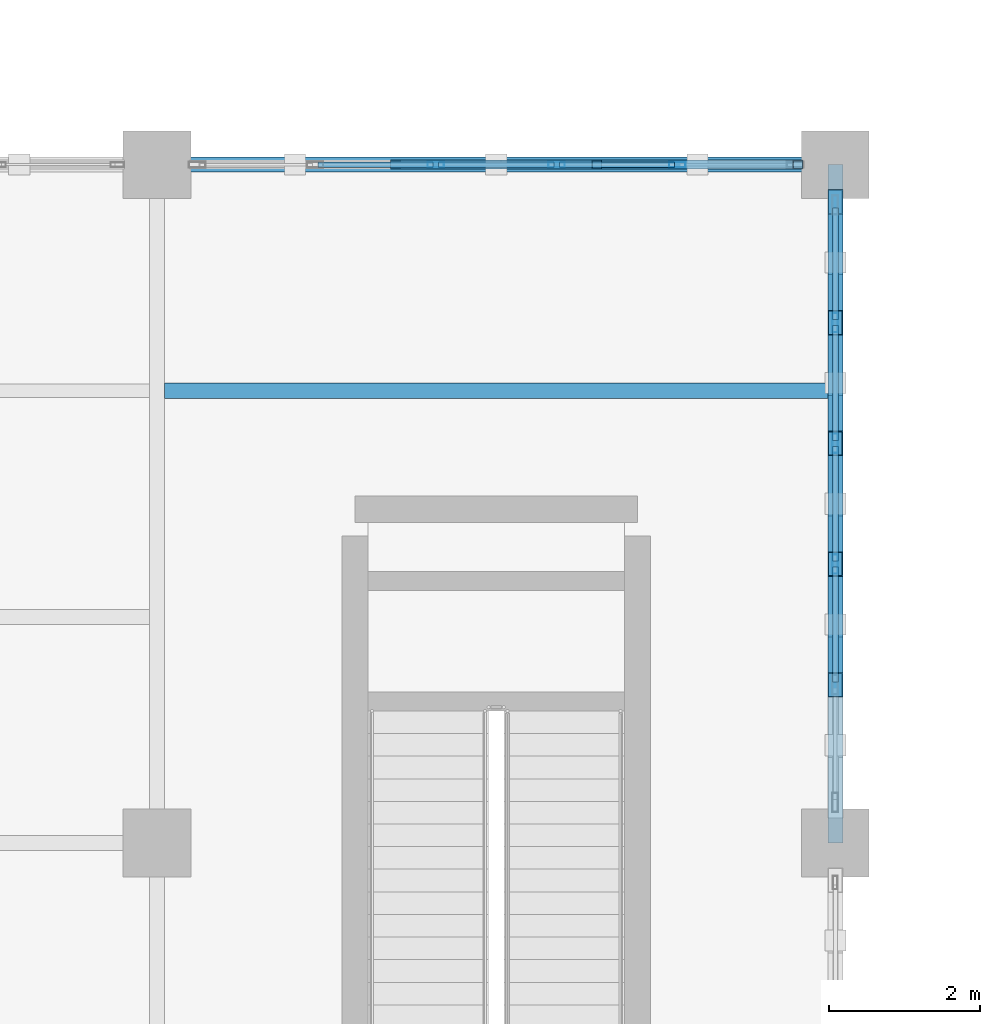
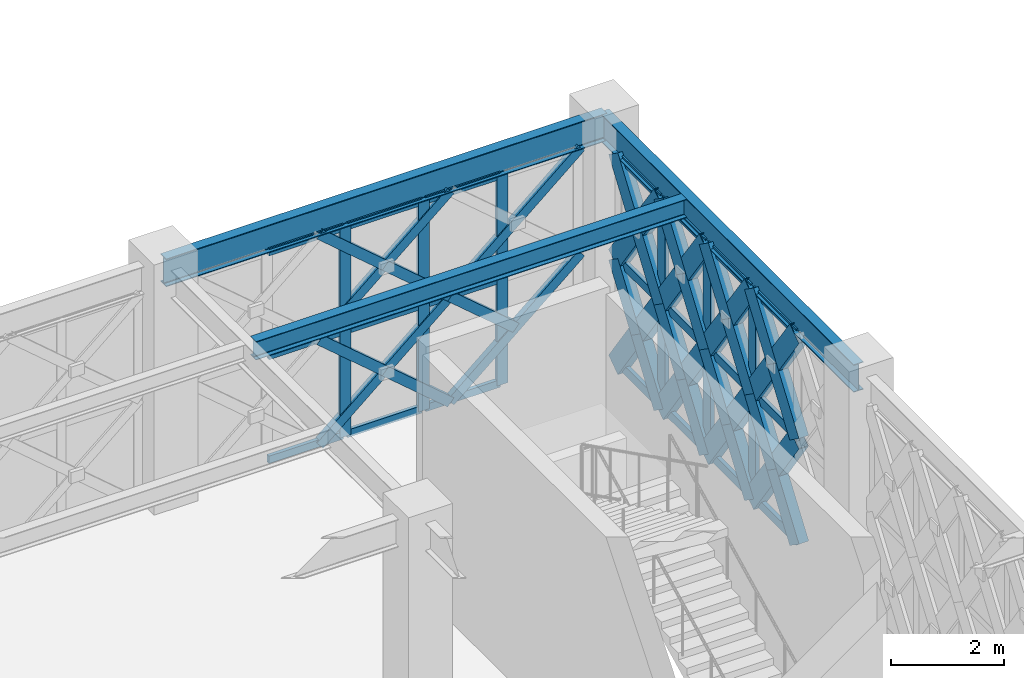
# One storey, part 29 of 155: 60 members, 3 beams, 2 elements without a shape of their own.
"""IFC4 building model written with IfcOpenShell, lengths in metres."""

from ifc_helpers import new_model, si_unit, direction, frame, origin, origin_2d, place, context, subcontext, project, spatial, hollow_rectangle, i_section, extrude, material, material_profile, profile_set, type_object, element, aggregate, save


model = new_model("IFC4")

# Units and contexts
model_context = context("Model", 3, precision=1e-05, world=origin(), true_north=direction((0.0, 1.0)))
body_context = subcontext(model_context, "Body", "Model", "MODEL_VIEW")
ifc_project = project(units=[si_unit("LENGTHUNIT", "METRE"), si_unit("AREAUNIT", "SQUARE_METRE"), si_unit("VOLUMEUNIT", "CUBIC_METRE"), si_unit("PLANEANGLEUNIT", "RADIAN"), si_unit("MASSUNIT", "GRAM", prefix="KILO")], contexts=[model_context])

# Site, building, storey
site_placement = place(None, origin())
site = spatial("IfcSite", under=ifc_project, at=site_placement, CompositionType="ELEMENT")
building_placement = place(site_placement, origin())
building = spatial("IfcBuilding", under=site, at=building_placement, Name="Haizhuo Lancet Aquarium", CompositionType="ELEMENT")
storey_placement = place(building_placement, frame((0.0, 0.0, 10.800048828125)))
storey = spatial("IfcBuildingStorey", under=building, at=storey_placement, Name="L02", CompositionType="ELEMENT", Elevation=10.800048828125)

# Beams
ifc_material_1 = material(Name="Steel S355", Category="steel")
ifc_material_profile_1 = material_profile(ifc_material_1, i_section(OverallWidth=0.199951171875, OverallDepth=0.60009765625, WebThickness=0.010986328125, FlangeThickness=0.01708984375, FilletRadius=0.02197265625, at=origin_2d()), Name="HN 600x200x11x17")
ifc_profile_set_1 = profile_set([ifc_material_profile_1], Name="Steel S355")
beam_type_1 = type_object("IfcBeamType", Name="BM-ST-HN600", PredefinedType="BEAM", material=ifc_profile_set_1)
for number, where, z_axis, x_axis, name in (
    (1, (-45.0, -9.0, 4.85986328125), (1.0, 0.0, 0.0), (0.0, 1.0, 0.0), "L02 V6 primary girder BM-L02-V6-026"),
    (2, (-36.0, -18.0, 4.85986328125), (0.0, 1.0, 0.0), (-1.0, 0.0, 0.0), "L02 V6 primary girder BM-L02-V6-029"),
):
    element("IfcBeam", number, at=place(storey_placement, frame(where, z_axis=z_axis, x_axis=x_axis)), inside=storey, type_object=beam_type_1, Name=name, PredefinedType="BEAM", context=body_context, shape_type="SweptSolid", body=[
        extrude(i_section(OverallWidth=0.199951171875, OverallDepth=0.60009765625, WebThickness=0.010986328125, FlangeThickness=0.01708984375, FilletRadius=0.02197265625, at=origin_2d()), origin(), (0.0, 0.0, 1.0), 9.0),
    ])

# Curtain wall, members
ifc_material_2 = material(Name="Aluminium 6063-T6", Category="aluminium")
curtain_wall_type_1 = type_object("IfcCurtainWallType", Name="CWO-8010x4560", PredefinedType="NOTDEFINED", material=ifc_material_2)
curtain_wall_1_placement = place(storey_placement, origin())
curtain_wall_1 = element("IfcCurtainWall", 3, at=curtain_wall_1_placement, inside=storey, type_object=curtain_wall_type_1, Name="L02 curtain wall CW-V6-L02-218", PredefinedType="NOTDEFINED")
ifc_material_profile_2 = material_profile(ifc_material_2, hollow_rectangle(XDim=0.074951171875, YDim=0.219970703125, WallThickness=0.0048828125, at=origin_2d()), Name="ALU-M 75x220x5")
ifc_profile_set_2 = profile_set([ifc_material_profile_2], Name="Aluminium 6063-T6")
member_type_1 = type_object("IfcMemberType", Name="CW-MUL-2", PredefinedType="MULLION", material=ifc_profile_set_2)
member_1_placement = place(storey_placement, frame((-41.301025390625, -9.0, 0.0), z_axis=(0.0, 0.0, 1.0), x_axis=(0.0, 1.0, 0.0)))
member_1 = element("IfcMember", 4, at=member_1_placement, type_object=member_type_1, Name="CWO-80x45 mullion 3", PredefinedType="MULLION", context=body_context, shape_type="SweptSolid", body=[
    extrude(hollow_rectangle(XDim=0.074951171875, YDim=0.219970703125, WallThickness=0.0048828125, at=origin_2d()), origin(), (0.0, 0.0, 1.0), 4.56005859375),
])
member_2_placement = place(storey_placement, frame((-39.698974609375, -9.0, 0.0), z_axis=(0.0, 0.0, 1.0), x_axis=(0.0, 1.0, 0.0)))
member_2 = element("IfcMember", 5, at=member_2_placement, type_object=member_type_1, Name="CWO-80x45 mullion 4", PredefinedType="MULLION", context=body_context, shape_type="SweptSolid", body=[
    extrude(hollow_rectangle(XDim=0.074951171875, YDim=0.219970703125, WallThickness=0.0048828125, at=origin_2d()), origin(), (0.0, 0.0, 1.0), 4.56005859375),
])
member_3_placement = place(storey_placement, frame((-38.096923828125, -9.0, 0.0), z_axis=(0.0, 0.0, 1.0), x_axis=(0.0, 1.0, 0.0)))
member_3 = element("IfcMember", 6, at=member_3_placement, type_object=member_type_1, Name="CWO-80x45 mullion 5", PredefinedType="MULLION", context=body_context, shape_type="SweptSolid", body=[
    extrude(hollow_rectangle(XDim=0.074951171875, YDim=0.219970703125, WallThickness=0.0048828125, at=origin_2d()), origin(), (0.0, 0.0, 1.0), 4.56005859375),
])

curtain_wall_type_2 = type_object("IfcCurtainWallType", Name="CWD-8010x4560", PredefinedType="NOTDEFINED", material=ifc_material_2)
curtain_wall_2_placement = place(storey_placement, origin())
curtain_wall_2 = element("IfcCurtainWall", 7, at=curtain_wall_2_placement, inside=storey, type_object=curtain_wall_type_2, Name="L02 curtain wall CW-V6-L02-219", PredefinedType="NOTDEFINED")
ifc_material_profile_3 = material_profile(ifc_material_2, hollow_rectangle(XDim=0.080078125, YDim=0.260009765625, WallThickness=0.0048828125, at=origin_2d()), Name="ALU-M 80x260x5")
ifc_profile_set_3 = profile_set([ifc_material_profile_3], Name="Aluminium 6063-T6")
member_type_2 = type_object("IfcMemberType", Name="CW-MUL-3", PredefinedType="MULLION", material=ifc_profile_set_3)
member_4_placement = place(storey_placement, frame((-36.0, -11.096923828125, 0.0), z_axis=(0.0, 0.0, 1.0), x_axis=(1.0, 0.0, 0.0)))
member_4 = element("IfcMember", 8, at=member_4_placement, type_object=member_type_2, Name="CWD-80x45 mullion 2", PredefinedType="MULLION", context=body_context, shape_type="SweptSolid", body=[
    extrude(hollow_rectangle(XDim=0.080078125, YDim=0.260009765625, WallThickness=0.0048828125, at=origin_2d()), origin(), (0.0, 0.0, 1.0), 4.56005859375),
])
member_5_placement = place(storey_placement, frame((-36.0, -12.698974609375, 0.0), z_axis=(0.0, 0.0, 1.0), x_axis=(1.0, 0.0, 0.0)))
member_5 = element("IfcMember", 9, at=member_5_placement, type_object=member_type_2, Name="CWD-80x45 mullion 3", PredefinedType="MULLION", context=body_context, shape_type="SweptSolid", body=[
    extrude(hollow_rectangle(XDim=0.080078125, YDim=0.260009765625, WallThickness=0.0048828125, at=origin_2d()), origin(), (0.0, 0.0, 1.0), 4.56005859375),
])
member_6_placement = place(storey_placement, frame((-36.0, -14.301025390625, 0.0), z_axis=(0.0, 0.0, 1.0), x_axis=(1.0, 0.0, 0.0)))
member_6 = element("IfcMember", 10, at=member_6_placement, type_object=member_type_2, Name="CWD-80x45 mullion 4", PredefinedType="MULLION", context=body_context, shape_type="SweptSolid", body=[
    extrude(hollow_rectangle(XDim=0.080078125, YDim=0.260009765625, WallThickness=0.0048828125, at=origin_2d()), origin(), (0.0, 0.0, 1.0), 4.56005859375),
])

# Member
ifc_material_profile_4 = material_profile(ifc_material_2, hollow_rectangle(XDim=0.074951171875, YDim=0.159912109375, WallThickness=0.00390625, at=origin_2d()), Name="ALU-T 75x160x4")
ifc_profile_set_4 = profile_set([ifc_material_profile_4], Name="Aluminium 6063-T6")
member_type_3 = type_object("IfcMemberType", Name="CW-TRN-2", PredefinedType="NOTDEFINED", material=ifc_profile_set_4)
member_7_placement = place(storey_placement, frame((-42.865966796875, -9.0, 0.037841796875), z_axis=(1.0, 0.0, 0.0), x_axis=(0.0, 1.0, 0.0)))
member_7 = element("IfcMember", 11, at=member_7_placement, type_object=member_type_3, Name="CWO-80x45 transom 2.1", ObjectType="TRANSOM", PredefinedType="USERDEFINED", context=body_context, shape_type="SweptSolid", body=[
    extrude(hollow_rectangle(XDim=0.074951171875, YDim=0.159912109375, WallThickness=0.00390625, at=origin_2d()), origin(), (0.0, 0.0, 1.0), 1.52685546875),
])

member_8_placement = place(storey_placement, frame((-42.865966796875, -9.0, 2.280029296875), z_axis=(1.0, 0.0, 0.0), x_axis=(0.0, 1.0, 0.0)))
member_8 = element("IfcMember", 12, at=member_8_placement, type_object=member_type_3, Name="CWO-80x45 transom 2.2", ObjectType="TRANSOM", PredefinedType="USERDEFINED", context=body_context, shape_type="SweptSolid", body=[
    extrude(hollow_rectangle(XDim=0.074951171875, YDim=0.159912109375, WallThickness=0.00390625, at=origin_2d()), origin(), (0.0, 0.0, 1.0), 1.52685546875),
])

member_9_placement = place(storey_placement, frame((-42.865966796875, -9.0, 4.52197265625), z_axis=(1.0, 0.0, 0.0), x_axis=(0.0, 1.0, 0.0)))
member_9 = element("IfcMember", 13, at=member_9_placement, type_object=member_type_3, Name="CWO-80x45 transom 2.3", ObjectType="TRANSOM", PredefinedType="USERDEFINED", context=body_context, shape_type="SweptSolid", body=[
    extrude(hollow_rectangle(XDim=0.074951171875, YDim=0.159912109375, WallThickness=0.00390625, at=origin_2d()), origin(), (0.0, 0.0, 1.0), 1.52685546875),
])

member_10_placement = place(storey_placement, frame((-41.263916015625, -9.0, 0.037841796875), z_axis=(1.0, 0.0, 0.0), x_axis=(0.0, 1.0, 0.0)))
member_10 = element("IfcMember", 14, at=member_10_placement, type_object=member_type_3, Name="CWO-80x45 transom 3.1", ObjectType="TRANSOM", PredefinedType="USERDEFINED", context=body_context, shape_type="SweptSolid", body=[
    extrude(hollow_rectangle(XDim=0.074951171875, YDim=0.159912109375, WallThickness=0.00390625, at=origin_2d()), origin(), (0.0, 0.0, 1.0), 1.52783203125),
])

member_11_placement = place(storey_placement, frame((-41.263916015625, -9.0, 2.280029296875), z_axis=(1.0, 0.0, 0.0), x_axis=(0.0, 1.0, 0.0)))
member_11 = element("IfcMember", 15, at=member_11_placement, type_object=member_type_3, Name="CWO-80x45 transom 3.2", ObjectType="TRANSOM", PredefinedType="USERDEFINED", context=body_context, shape_type="SweptSolid", body=[
    extrude(hollow_rectangle(XDim=0.074951171875, YDim=0.159912109375, WallThickness=0.00390625, at=origin_2d()), origin(), (0.0, 0.0, 1.0), 1.52783203125),
])

member_12_placement = place(storey_placement, frame((-41.263916015625, -9.0, 4.52197265625), z_axis=(1.0, 0.0, 0.0), x_axis=(0.0, 1.0, 0.0)))
member_12 = element("IfcMember", 16, at=member_12_placement, type_object=member_type_3, Name="CWO-80x45 transom 3.3", ObjectType="TRANSOM", PredefinedType="USERDEFINED", context=body_context, shape_type="SweptSolid", body=[
    extrude(hollow_rectangle(XDim=0.074951171875, YDim=0.159912109375, WallThickness=0.00390625, at=origin_2d()), origin(), (0.0, 0.0, 1.0), 1.52783203125),
])

member_13_placement = place(storey_placement, frame((-39.662109375, -9.0, 0.037841796875), z_axis=(1.0, 0.0, 0.0), x_axis=(0.0, 1.0, 0.0)))
member_13 = element("IfcMember", 17, at=member_13_placement, type_object=member_type_3, Name="CWO-80x45 transom 4.1", ObjectType="TRANSOM", PredefinedType="USERDEFINED", context=body_context, shape_type="SweptSolid", body=[
    extrude(hollow_rectangle(XDim=0.074951171875, YDim=0.159912109375, WallThickness=0.00390625, at=origin_2d()), origin(), (0.0, 0.0, 1.0), 1.528076171875),
])

member_14_placement = place(storey_placement, frame((-39.662109375, -9.0, 2.280029296875), z_axis=(1.0, 0.0, 0.0), x_axis=(0.0, 1.0, 0.0)))
member_14 = element("IfcMember", 18, at=member_14_placement, type_object=member_type_3, Name="CWO-80x45 transom 4.2", ObjectType="TRANSOM", PredefinedType="USERDEFINED", context=body_context, shape_type="SweptSolid", body=[
    extrude(hollow_rectangle(XDim=0.074951171875, YDim=0.159912109375, WallThickness=0.00390625, at=origin_2d()), origin(), (0.0, 0.0, 1.0), 1.528076171875),
])

member_15_placement = place(storey_placement, frame((-39.662109375, -9.0, 4.52197265625), z_axis=(1.0, 0.0, 0.0), x_axis=(0.0, 1.0, 0.0)))
member_15 = element("IfcMember", 19, at=member_15_placement, type_object=member_type_3, Name="CWO-80x45 transom 4.3", ObjectType="TRANSOM", PredefinedType="USERDEFINED", context=body_context, shape_type="SweptSolid", body=[
    extrude(hollow_rectangle(XDim=0.074951171875, YDim=0.159912109375, WallThickness=0.00390625, at=origin_2d()), origin(), (0.0, 0.0, 1.0), 1.528076171875),
])

aggregate(curtain_wall_1, [member_1, member_2, member_3, member_7, member_8, member_9, member_10, member_11, member_12, member_13, member_14, member_15])

ifc_material_profile_5 = material_profile(ifc_material_2, hollow_rectangle(XDim=0.080078125, YDim=0.18994140625, WallThickness=0.0048828125, at=origin_2d()), Name="ALU-T 80x190x5")
ifc_profile_set_5 = profile_set([ifc_material_profile_5], Name="Aluminium 6063-T6")
member_type_4 = type_object("IfcMemberType", Name="CW-TRN-3", PredefinedType="NOTDEFINED", material=ifc_profile_set_5)
member_16_placement = place(storey_placement, frame((-36.0, -9.574951171875, 0.0400390625), z_axis=(0.0, -1.0, 0.0), x_axis=(1.0, 0.0, 0.0)))
member_16 = element("IfcMember", 20, at=member_16_placement, type_object=member_type_4, Name="CWD-80x45 transom 1.1", ObjectType="TRANSOM", PredefinedType="USERDEFINED", context=body_context, shape_type="SweptSolid", body=[
    extrude(hollow_rectangle(XDim=0.080078125, YDim=0.18994140625, WallThickness=0.0048828125, at=origin_2d()), origin(), (0.0, 0.0, 1.0), 1.48193359375),
])

member_17_placement = place(storey_placement, frame((-36.0, -9.574951171875, 2.280029296875), z_axis=(0.0, -1.0, 0.0), x_axis=(1.0, 0.0, 0.0)))
member_17 = element("IfcMember", 21, at=member_17_placement, type_object=member_type_4, Name="CWD-80x45 transom 1.2", ObjectType="TRANSOM", PredefinedType="USERDEFINED", context=body_context, shape_type="SweptSolid", body=[
    extrude(hollow_rectangle(XDim=0.080078125, YDim=0.18994140625, WallThickness=0.0048828125, at=origin_2d()), origin(), (0.0, 0.0, 1.0), 1.48193359375),
])

member_18_placement = place(storey_placement, frame((-36.0, -9.574951171875, 4.52001953125), z_axis=(0.0, -1.0, 0.0), x_axis=(1.0, 0.0, 0.0)))
member_18 = element("IfcMember", 22, at=member_18_placement, type_object=member_type_4, Name="CWD-80x45 transom 1.3", ObjectType="TRANSOM", PredefinedType="USERDEFINED", context=body_context, shape_type="SweptSolid", body=[
    extrude(hollow_rectangle(XDim=0.080078125, YDim=0.18994140625, WallThickness=0.0048828125, at=origin_2d()), origin(), (0.0, 0.0, 1.0), 1.48193359375),
])

member_19_placement = place(storey_placement, frame((-36.0, -11.136962890625, 0.0400390625), z_axis=(0.0, -1.0, 0.0), x_axis=(1.0, 0.0, 0.0)))
member_19 = element("IfcMember", 23, at=member_19_placement, type_object=member_type_4, Name="CWD-80x45 transom 2.1", ObjectType="TRANSOM", PredefinedType="USERDEFINED", context=body_context, shape_type="SweptSolid", body=[
    extrude(hollow_rectangle(XDim=0.080078125, YDim=0.18994140625, WallThickness=0.0048828125, at=origin_2d()), origin(), (0.0, 0.0, 1.0), 1.52197265625),
])

member_20_placement = place(storey_placement, frame((-36.0, -11.136962890625, 2.280029296875), z_axis=(0.0, -1.0, 0.0), x_axis=(1.0, 0.0, 0.0)))
member_20 = element("IfcMember", 24, at=member_20_placement, type_object=member_type_4, Name="CWD-80x45 transom 2.2", ObjectType="TRANSOM", PredefinedType="USERDEFINED", context=body_context, shape_type="SweptSolid", body=[
    extrude(hollow_rectangle(XDim=0.080078125, YDim=0.18994140625, WallThickness=0.0048828125, at=origin_2d()), origin(), (0.0, 0.0, 1.0), 1.52197265625),
])

member_21_placement = place(storey_placement, frame((-36.0, -11.136962890625, 4.52001953125), z_axis=(0.0, -1.0, 0.0), x_axis=(1.0, 0.0, 0.0)))
member_21 = element("IfcMember", 25, at=member_21_placement, type_object=member_type_4, Name="CWD-80x45 transom 2.3", ObjectType="TRANSOM", PredefinedType="USERDEFINED", context=body_context, shape_type="SweptSolid", body=[
    extrude(hollow_rectangle(XDim=0.080078125, YDim=0.18994140625, WallThickness=0.0048828125, at=origin_2d()), origin(), (0.0, 0.0, 1.0), 1.52197265625),
])

member_22_placement = place(storey_placement, frame((-36.0, -12.739013671875, 0.0400390625), z_axis=(0.0, -1.0, 0.0), x_axis=(1.0, 0.0, 0.0)))
member_22 = element("IfcMember", 26, at=member_22_placement, type_object=member_type_4, Name="CWD-80x45 transom 3.1", ObjectType="TRANSOM", PredefinedType="USERDEFINED", context=body_context, shape_type="SweptSolid", body=[
    extrude(hollow_rectangle(XDim=0.080078125, YDim=0.18994140625, WallThickness=0.0048828125, at=origin_2d()), origin(), (0.0, 0.0, 1.0), 1.52197265625),
])

member_23_placement = place(storey_placement, frame((-36.0, -12.739013671875, 2.280029296875), z_axis=(0.0, -1.0, 0.0), x_axis=(1.0, 0.0, 0.0)))
member_23 = element("IfcMember", 27, at=member_23_placement, type_object=member_type_4, Name="CWD-80x45 transom 3.2", ObjectType="TRANSOM", PredefinedType="USERDEFINED", context=body_context, shape_type="SweptSolid", body=[
    extrude(hollow_rectangle(XDim=0.080078125, YDim=0.18994140625, WallThickness=0.0048828125, at=origin_2d()), origin(), (0.0, 0.0, 1.0), 1.52197265625),
])

member_24_placement = place(storey_placement, frame((-36.0, -12.739013671875, 4.52001953125), z_axis=(0.0, -1.0, 0.0), x_axis=(1.0, 0.0, 0.0)))
member_24 = element("IfcMember", 28, at=member_24_placement, type_object=member_type_4, Name="CWD-80x45 transom 3.3", ObjectType="TRANSOM", PredefinedType="USERDEFINED", context=body_context, shape_type="SweptSolid", body=[
    extrude(hollow_rectangle(XDim=0.080078125, YDim=0.18994140625, WallThickness=0.0048828125, at=origin_2d()), origin(), (0.0, 0.0, 1.0), 1.52197265625),
])

member_25_placement = place(storey_placement, frame((-36.0, -14.341064453125, 0.0400390625), z_axis=(0.0, -1.0, 0.0), x_axis=(1.0, 0.0, 0.0)))
member_25 = element("IfcMember", 29, at=member_25_placement, type_object=member_type_4, Name="CWD-80x45 transom 4.1", ObjectType="TRANSOM", PredefinedType="USERDEFINED", context=body_context, shape_type="SweptSolid", body=[
    extrude(hollow_rectangle(XDim=0.080078125, YDim=0.18994140625, WallThickness=0.0048828125, at=origin_2d()), origin(), (0.0, 0.0, 1.0), 1.52197265625),
])

member_26_placement = place(storey_placement, frame((-36.0, -14.341064453125, 2.280029296875), z_axis=(0.0, -1.0, 0.0), x_axis=(1.0, 0.0, 0.0)))
member_26 = element("IfcMember", 30, at=member_26_placement, type_object=member_type_4, Name="CWD-80x45 transom 4.2", ObjectType="TRANSOM", PredefinedType="USERDEFINED", context=body_context, shape_type="SweptSolid", body=[
    extrude(hollow_rectangle(XDim=0.080078125, YDim=0.18994140625, WallThickness=0.0048828125, at=origin_2d()), origin(), (0.0, 0.0, 1.0), 1.52197265625),
])

member_27_placement = place(storey_placement, frame((-36.0, -14.341064453125, 4.52001953125), z_axis=(0.0, -1.0, 0.0), x_axis=(1.0, 0.0, 0.0)))
member_27 = element("IfcMember", 31, at=member_27_placement, type_object=member_type_4, Name="CWD-80x45 transom 4.3", ObjectType="TRANSOM", PredefinedType="USERDEFINED", context=body_context, shape_type="SweptSolid", body=[
    extrude(hollow_rectangle(XDim=0.080078125, YDim=0.18994140625, WallThickness=0.0048828125, at=origin_2d()), origin(), (0.0, 0.0, 1.0), 1.52197265625),
])

aggregate(curtain_wall_2, [member_4, member_5, member_6, member_16, member_17, member_18, member_19, member_20, member_21, member_22, member_23, member_24, member_25, member_26, member_27])

# Beam
ifc_material_profile_6 = material_profile(ifc_material_1, i_section(OverallWidth=0.199951171875, OverallDepth=0.39990234375, WebThickness=0.008056640625, FlangeThickness=0.012939453125, FilletRadius=0.01611328125, at=origin_2d()), Name="HN 400x200x8x13")
ifc_profile_set_6 = profile_set([ifc_material_profile_6], Name="Steel S355")
beam_type_2 = type_object("IfcBeamType", Name="JST-ST-HN400", PredefinedType="JOIST", material=ifc_profile_set_6)
beam_placement = place(storey_placement, frame((-44.89990234375, -12.0, 4.9599609375), z_axis=(1.0, 0.0, 0.0), x_axis=(0.0, 1.0, 0.0)))
element("IfcBeam", 32, at=beam_placement, inside=storey, type_object=beam_type_2, Name="L02 V6 secondary floor joist 19", PredefinedType="JOIST", context=body_context, shape_type="SweptSolid", body=[
    extrude(i_section(OverallWidth=0.199951171875, OverallDepth=0.39990234375, WebThickness=0.008056640625, FlangeThickness=0.012939453125, FilletRadius=0.01611328125, at=origin_2d()), origin(), (0.0, 0.0, 1.0), 8.7998046875),
])

# Members
ifc_material_profile_7 = material_profile(ifc_material_1, hollow_rectangle(XDim=0.1201171875, YDim=0.199951171875, WallThickness=0.008056640625, at=origin_2d()), Name="RHS 120x200x8")
ifc_profile_set_7 = profile_set([ifc_material_profile_7], Name="Steel S355")
member_type_5 = type_object("IfcMemberType", Name="MEM-LB-RHS120x200", PredefinedType="BRACE", material=ifc_profile_set_7)
member_28_placement = place(storey_placement, frame((-41.8349609375, -9.0, 0.0), z_axis=(0.760448077829, 0.0, 0.649398738007), x_axis=(0.0, 1.0, 0.0)))
element("IfcMember", 33, at=member_28_placement, inside=storey, type_object=member_type_5, Name="Gothic lancet continuous diagonal brace CW-V6-L02-218 3A", PredefinedType="BRACE", context=body_context, shape_type="SweptSolid", body=[
    extrude(hollow_rectangle(XDim=0.1201171875, YDim=0.199951171875, WallThickness=0.008056640625, at=origin_2d()), origin(), (0.0, 0.0, 1.0), 3.510986328125),
])
member_29_placement = place(storey_placement, frame((-39.1650390625, -9.0, 0.0), z_axis=(-0.760482417667, 0.0, 0.649358523791), x_axis=(0.0, -1.0, 0.0)))
element("IfcMember", 34, at=member_29_placement, inside=storey, type_object=member_type_5, Name="Gothic lancet split diagonal brace CW-V6-L02-218 3B1", PredefinedType="BRACE", context=body_context, shape_type="SweptSolid", body=[
    extrude(hollow_rectangle(XDim=0.1201171875, YDim=0.199951171875, WallThickness=0.008056640625, at=origin_2d()), origin(), (0.0, 0.0, 1.0), 1.75537109375),
])
member_30_placement = place(storey_placement, frame((-40.5, -9.0, 1.139892578125), z_axis=(-0.760413738967, 0.0, 0.649438946777), x_axis=(0.0, -1.0, 0.0)))
element("IfcMember", 35, at=member_30_placement, inside=storey, type_object=member_type_5, Name="Gothic lancet split diagonal brace CW-V6-L02-218 3B2", PredefinedType="BRACE", context=body_context, shape_type="SweptSolid", body=[
    extrude(hollow_rectangle(XDim=0.1201171875, YDim=0.199951171875, WallThickness=0.008056640625, at=origin_2d()), origin(), (0.0, 0.0, 1.0), 1.755615234375),
])
member_31_placement = place(storey_placement, frame((-41.8349609375, -9.0, 2.280029296875), z_axis=(0.760448077829, 0.0, 0.649398738007), x_axis=(0.0, 1.0, 0.0)))
element("IfcMember", 36, at=member_31_placement, inside=storey, type_object=member_type_5, Name="Gothic lancet continuous diagonal brace CW-V6-L02-218 4A", PredefinedType="BRACE", context=body_context, shape_type="SweptSolid", body=[
    extrude(hollow_rectangle(XDim=0.1201171875, YDim=0.199951171875, WallThickness=0.008056640625, at=origin_2d()), origin(), (0.0, 0.0, 1.0), 3.510986328125),
])
member_32_placement = place(storey_placement, frame((-39.1650390625, -9.0, 2.280029296875), z_axis=(-0.760482417667, 0.0, 0.649358523791), x_axis=(0.0, -1.0, 0.0)))
element("IfcMember", 37, at=member_32_placement, inside=storey, type_object=member_type_5, Name="Gothic lancet split diagonal brace CW-V6-L02-218 4B1", PredefinedType="BRACE", context=body_context, shape_type="SweptSolid", body=[
    extrude(hollow_rectangle(XDim=0.1201171875, YDim=0.199951171875, WallThickness=0.008056640625, at=origin_2d()), origin(), (0.0, 0.0, 1.0), 1.75537109375),
])
member_33_placement = place(storey_placement, frame((-40.5, -9.0, 3.419921875), z_axis=(-0.760413738967, 0.0, 0.649438946777), x_axis=(0.0, -1.0, 0.0)))
element("IfcMember", 38, at=member_33_placement, inside=storey, type_object=member_type_5, Name="Gothic lancet split diagonal brace CW-V6-L02-218 4B2", PredefinedType="BRACE", context=body_context, shape_type="SweptSolid", body=[
    extrude(hollow_rectangle(XDim=0.1201171875, YDim=0.199951171875, WallThickness=0.008056640625, at=origin_2d()), origin(), (0.0, 0.0, 1.0), 1.755615234375),
])
member_34_placement = place(storey_placement, frame((-39.1650390625, -9.0, 0.0), z_axis=(0.760448077829, 0.0, 0.649398738007), x_axis=(0.0, 1.0, 0.0)))
element("IfcMember", 39, at=member_34_placement, inside=storey, type_object=member_type_5, Name="Gothic lancet continuous diagonal brace CW-V6-L02-218 5A", PredefinedType="BRACE", context=body_context, shape_type="SweptSolid", body=[
    extrude(hollow_rectangle(XDim=0.1201171875, YDim=0.199951171875, WallThickness=0.008056640625, at=origin_2d()), origin(), (0.0, 0.0, 1.0), 3.510986328125),
])
member_35_placement = place(storey_placement, frame((-37.830078125, -9.0, 1.139892578125), z_axis=(-0.760413738967, 0.0, 0.649438946777), x_axis=(0.0, -1.0, 0.0)))
element("IfcMember", 40, at=member_35_placement, inside=storey, type_object=member_type_5, Name="Gothic lancet split diagonal brace CW-V6-L02-218 5B2", PredefinedType="BRACE", context=body_context, shape_type="SweptSolid", body=[
    extrude(hollow_rectangle(XDim=0.1201171875, YDim=0.199951171875, WallThickness=0.008056640625, at=origin_2d()), origin(), (0.0, 0.0, 1.0), 1.755615234375),
])
member_36_placement = place(storey_placement, frame((-39.1650390625, -9.0, 2.280029296875), z_axis=(0.760448077829, 0.0, 0.649398738007), x_axis=(0.0, 1.0, 0.0)))
element("IfcMember", 41, at=member_36_placement, inside=storey, type_object=member_type_5, Name="Gothic lancet continuous diagonal brace CW-V6-L02-218 6A", PredefinedType="BRACE", context=body_context, shape_type="SweptSolid", body=[
    extrude(hollow_rectangle(XDim=0.1201171875, YDim=0.199951171875, WallThickness=0.008056640625, at=origin_2d()), origin(), (0.0, 0.0, 1.0), 3.510986328125),
])
ifc_material_profile_8 = material_profile(ifc_material_1, hollow_rectangle(XDim=0.199951171875, YDim=0.39990234375, WallThickness=0.011962890625, at=origin_2d()), Name="RHS 200x400x12")
ifc_profile_set_8 = profile_set([ifc_material_profile_8], Name="Steel S355")
member_type_6 = type_object("IfcMemberType", Name="MEM-LB-RHS200x400", PredefinedType="BRACE", material=ifc_profile_set_8)
member_37_placement = place(storey_placement, frame((-36.0, -9.4951171875, 0.0), z_axis=(0.0, -0.574855154156, 0.81825518742), x_axis=(1.0, 0.0, 0.0)))
element("IfcMember", 42, at=member_37_placement, inside=storey, type_object=member_type_6, Name="Gothic lancet continuous diagonal brace CW-V6-L02-219 1A", PredefinedType="BRACE", context=body_context, shape_type="SweptSolid", body=[
    extrude(hollow_rectangle(XDim=0.199951171875, YDim=0.39990234375, WallThickness=0.011962890625, at=origin_2d()), origin(), (0.0, 0.0, 1.0), 2.786376953125),
])
for number, where, z_axis, x_axis, name in (
    (43, (-36.0, -11.096923828125, 0.0), (0.0, 0.574955028356, 0.818185012921), (-1.0, 0.0, 0.0), "Gothic lancet split diagonal brace CW-V6-L02-219 1B1"),
    (44, (-36.0, -10.2958984375, 1.139892578125), (0.0, 0.574755275652, 0.818325346736), (-1.0, 0.0, 0.0), "Gothic lancet split diagonal brace CW-V6-L02-219 1B2"),
):
    element("IfcMember", number, at=place(storey_placement, frame(where, z_axis=z_axis, x_axis=x_axis)), inside=storey, type_object=member_type_6, Name=name, PredefinedType="BRACE", context=body_context, shape_type="SweptSolid", body=[
        extrude(hollow_rectangle(XDim=0.199951171875, YDim=0.39990234375, WallThickness=0.011962890625, at=origin_2d()), origin(), (0.0, 0.0, 1.0), 1.393310546875),
    ])
member_38_placement = place(storey_placement, frame((-36.0, -9.4951171875, 2.280029296875), z_axis=(0.0, -0.574855154156, 0.81825518742), x_axis=(1.0, 0.0, 0.0)))
element("IfcMember", 45, at=member_38_placement, inside=storey, type_object=member_type_6, Name="Gothic lancet continuous diagonal brace CW-V6-L02-219 2A", PredefinedType="BRACE", context=body_context, shape_type="SweptSolid", body=[
    extrude(hollow_rectangle(XDim=0.199951171875, YDim=0.39990234375, WallThickness=0.011962890625, at=origin_2d()), origin(), (0.0, 0.0, 1.0), 2.786376953125),
])
for number, where, z_axis, x_axis, name in (
    (46, (-36.0, -11.096923828125, 2.280029296875), (0.0, 0.574955028356, 0.818185012921), (-1.0, 0.0, 0.0), "Gothic lancet split diagonal brace CW-V6-L02-219 2B1"),
    (47, (-36.0, -10.2958984375, 3.419921875), (0.0, 0.574755275652, 0.818325346736), (-1.0, 0.0, 0.0), "Gothic lancet split diagonal brace CW-V6-L02-219 2B2"),
):
    element("IfcMember", number, at=place(storey_placement, frame(where, z_axis=z_axis, x_axis=x_axis)), inside=storey, type_object=member_type_6, Name=name, PredefinedType="BRACE", context=body_context, shape_type="SweptSolid", body=[
        extrude(hollow_rectangle(XDim=0.199951171875, YDim=0.39990234375, WallThickness=0.011962890625, at=origin_2d()), origin(), (0.0, 0.0, 1.0), 1.393310546875),
    ])
member_39_placement = place(storey_placement, frame((-36.0, -11.096923828125, 0.0), z_axis=(0.0, -0.574913812948, 0.818213974264), x_axis=(1.0, 0.0, 0.0)))
element("IfcMember", 48, at=member_39_placement, inside=storey, type_object=member_type_6, Name="Gothic lancet continuous diagonal brace CW-V6-L02-219 3A", PredefinedType="BRACE", context=body_context, shape_type="SweptSolid", body=[
    extrude(hollow_rectangle(XDim=0.199951171875, YDim=0.39990234375, WallThickness=0.011962890625, at=origin_2d()), origin(), (0.0, 0.0, 1.0), 2.78662109375),
])
for number, where, z_axis, x_axis, name in (
    (49, (-36.0, -12.698974609375, 0.0), (0.0, 0.574955028356, 0.818185012921), (-1.0, 0.0, 0.0), "Gothic lancet split diagonal brace CW-V6-L02-219 3B1"),
    (50, (-36.0, -11.89794921875, 1.139892578125), (0.0, 0.574872601991, 0.81824292938), (-1.0, 0.0, 0.0), "Gothic lancet split diagonal brace CW-V6-L02-219 3B2"),
):
    element("IfcMember", number, at=place(storey_placement, frame(where, z_axis=z_axis, x_axis=x_axis)), inside=storey, type_object=member_type_6, Name=name, PredefinedType="BRACE", context=body_context, shape_type="SweptSolid", body=[
        extrude(hollow_rectangle(XDim=0.199951171875, YDim=0.39990234375, WallThickness=0.011962890625, at=origin_2d()), origin(), (0.0, 0.0, 1.0), 1.393310546875),
    ])
member_40_placement = place(storey_placement, frame((-36.0, -11.096923828125, 2.280029296875), z_axis=(0.0, -0.574913812948, 0.818213974264), x_axis=(1.0, 0.0, 0.0)))
element("IfcMember", 51, at=member_40_placement, inside=storey, type_object=member_type_6, Name="Gothic lancet continuous diagonal brace CW-V6-L02-219 4A", PredefinedType="BRACE", context=body_context, shape_type="SweptSolid", body=[
    extrude(hollow_rectangle(XDim=0.199951171875, YDim=0.39990234375, WallThickness=0.011962890625, at=origin_2d()), origin(), (0.0, 0.0, 1.0), 2.78662109375),
])
for number, where, z_axis, x_axis, name in (
    (52, (-36.0, -12.698974609375, 2.280029296875), (0.0, 0.574955028356, 0.818185012921), (-1.0, 0.0, 0.0), "Gothic lancet split diagonal brace CW-V6-L02-219 4B1"),
    (53, (-36.0, -11.89794921875, 3.419921875), (0.0, 0.574872601991, 0.81824292938), (-1.0, 0.0, 0.0), "Gothic lancet split diagonal brace CW-V6-L02-219 4B2"),
):
    element("IfcMember", number, at=place(storey_placement, frame(where, z_axis=z_axis, x_axis=x_axis)), inside=storey, type_object=member_type_6, Name=name, PredefinedType="BRACE", context=body_context, shape_type="SweptSolid", body=[
        extrude(hollow_rectangle(XDim=0.199951171875, YDim=0.39990234375, WallThickness=0.011962890625, at=origin_2d()), origin(), (0.0, 0.0, 1.0), 1.393310546875),
    ])
member_41_placement = place(storey_placement, frame((-36.0, -12.698974609375, 0.0), z_axis=(0.0, -0.574913812948, 0.818213974264), x_axis=(1.0, 0.0, 0.0)))
element("IfcMember", 54, at=member_41_placement, inside=storey, type_object=member_type_6, Name="Gothic lancet continuous diagonal brace CW-V6-L02-219 5A", PredefinedType="BRACE", context=body_context, shape_type="SweptSolid", body=[
    extrude(hollow_rectangle(XDim=0.199951171875, YDim=0.39990234375, WallThickness=0.011962890625, at=origin_2d()), origin(), (0.0, 0.0, 1.0), 2.78662109375),
])
for number, where, z_axis, x_axis, name in (
    (55, (-36.0, -14.301025390625, 0.0), (0.0, 0.574955028356, 0.818185012921), (-1.0, 0.0, 0.0), "Gothic lancet split diagonal brace CW-V6-L02-219 5B1"),
    (56, (-36.0, -13.5, 1.139892578125), (0.0, 0.574872601991, 0.81824292938), (-1.0, 0.0, 0.0), "Gothic lancet split diagonal brace CW-V6-L02-219 5B2"),
):
    element("IfcMember", number, at=place(storey_placement, frame(where, z_axis=z_axis, x_axis=x_axis)), inside=storey, type_object=member_type_6, Name=name, PredefinedType="BRACE", context=body_context, shape_type="SweptSolid", body=[
        extrude(hollow_rectangle(XDim=0.199951171875, YDim=0.39990234375, WallThickness=0.011962890625, at=origin_2d()), origin(), (0.0, 0.0, 1.0), 1.393310546875),
    ])
member_42_placement = place(storey_placement, frame((-36.0, -12.698974609375, 2.280029296875), z_axis=(0.0, -0.574913812948, 0.818213974264), x_axis=(1.0, 0.0, 0.0)))
element("IfcMember", 57, at=member_42_placement, inside=storey, type_object=member_type_6, Name="Gothic lancet continuous diagonal brace CW-V6-L02-219 6A", PredefinedType="BRACE", context=body_context, shape_type="SweptSolid", body=[
    extrude(hollow_rectangle(XDim=0.199951171875, YDim=0.39990234375, WallThickness=0.011962890625, at=origin_2d()), origin(), (0.0, 0.0, 1.0), 2.78662109375),
])
for number, where, z_axis, x_axis, name in (
    (58, (-36.0, -14.301025390625, 2.280029296875), (0.0, 0.574955028356, 0.818185012921), (-1.0, 0.0, 0.0), "Gothic lancet split diagonal brace CW-V6-L02-219 6B1"),
    (59, (-36.0, -13.5, 3.419921875), (0.0, 0.574872601991, 0.81824292938), (-1.0, 0.0, 0.0), "Gothic lancet split diagonal brace CW-V6-L02-219 6B2"),
):
    element("IfcMember", number, at=place(storey_placement, frame(where, z_axis=z_axis, x_axis=x_axis)), inside=storey, type_object=member_type_6, Name=name, PredefinedType="BRACE", context=body_context, shape_type="SweptSolid", body=[
        extrude(hollow_rectangle(XDim=0.199951171875, YDim=0.39990234375, WallThickness=0.011962890625, at=origin_2d()), origin(), (0.0, 0.0, 1.0), 1.393310546875),
    ])
member_43_placement = place(storey_placement, frame((-36.0, -14.301025390625, 0.0), z_axis=(0.0, -0.574913812948, 0.818213974264), x_axis=(1.0, 0.0, 0.0)))
element("IfcMember", 60, at=member_43_placement, inside=storey, type_object=member_type_6, Name="Gothic lancet continuous diagonal brace CW-V6-L02-219 7A", PredefinedType="BRACE", context=body_context, shape_type="SweptSolid", body=[
    extrude(hollow_rectangle(XDim=0.199951171875, YDim=0.39990234375, WallThickness=0.011962890625, at=origin_2d()), origin(), (0.0, 0.0, 1.0), 2.78662109375),
])
for number, where, z_axis, x_axis, name in (
    (61, (-36.0, -15.903076171875, 0.0), (0.0, 0.574955028356, 0.818185012921), (-1.0, 0.0, 0.0), "Gothic lancet split diagonal brace CW-V6-L02-219 7B1"),
    (62, (-36.0, -15.10205078125, 1.139892578125), (0.0, 0.574872601991, 0.81824292938), (-1.0, 0.0, 0.0), "Gothic lancet split diagonal brace CW-V6-L02-219 7B2"),
):
    element("IfcMember", number, at=place(storey_placement, frame(where, z_axis=z_axis, x_axis=x_axis)), inside=storey, type_object=member_type_6, Name=name, PredefinedType="BRACE", context=body_context, shape_type="SweptSolid", body=[
        extrude(hollow_rectangle(XDim=0.199951171875, YDim=0.39990234375, WallThickness=0.011962890625, at=origin_2d()), origin(), (0.0, 0.0, 1.0), 1.393310546875),
    ])
member_44_placement = place(storey_placement, frame((-36.0, -14.301025390625, 2.280029296875), z_axis=(0.0, -0.574913812948, 0.818213974264), x_axis=(1.0, 0.0, 0.0)))
element("IfcMember", 63, at=member_44_placement, inside=storey, type_object=member_type_6, Name="Gothic lancet continuous diagonal brace CW-V6-L02-219 8A", PredefinedType="BRACE", context=body_context, shape_type="SweptSolid", body=[
    extrude(hollow_rectangle(XDim=0.199951171875, YDim=0.39990234375, WallThickness=0.011962890625, at=origin_2d()), origin(), (0.0, 0.0, 1.0), 2.78662109375),
])
for number, where, z_axis, x_axis, name in (
    (64, (-36.0, -15.903076171875, 2.280029296875), (0.0, 0.574955028356, 0.818185012921), (-1.0, 0.0, 0.0), "Gothic lancet split diagonal brace CW-V6-L02-219 8B1"),
    (65, (-36.0, -15.10205078125, 3.419921875), (0.0, 0.574872601991, 0.81824292938), (-1.0, 0.0, 0.0), "Gothic lancet split diagonal brace CW-V6-L02-219 8B2"),
):
    element("IfcMember", number, at=place(storey_placement, frame(where, z_axis=z_axis, x_axis=x_axis)), inside=storey, type_object=member_type_6, Name=name, PredefinedType="BRACE", context=body_context, shape_type="SweptSolid", body=[
        extrude(hollow_rectangle(XDim=0.199951171875, YDim=0.39990234375, WallThickness=0.011962890625, at=origin_2d()), origin(), (0.0, 0.0, 1.0), 1.393310546875),
    ])

save(model, "model.ifc")
